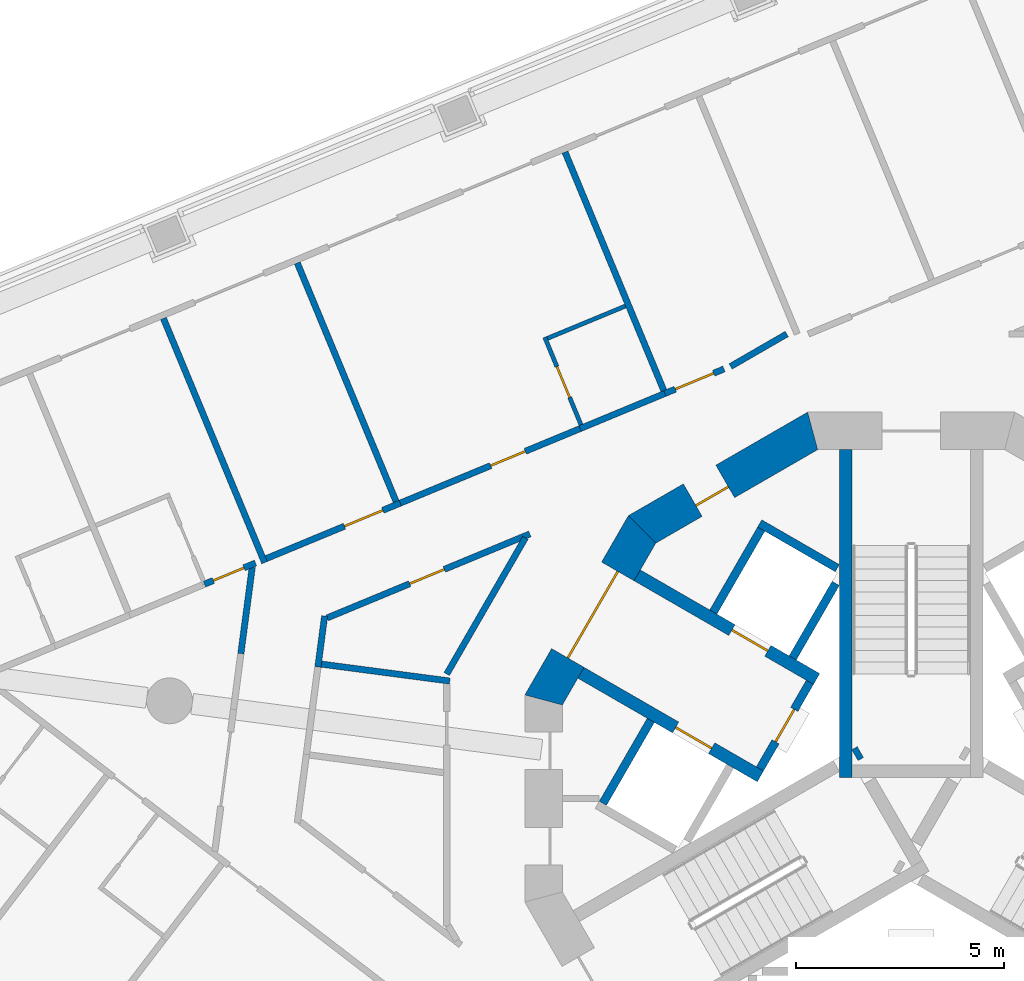
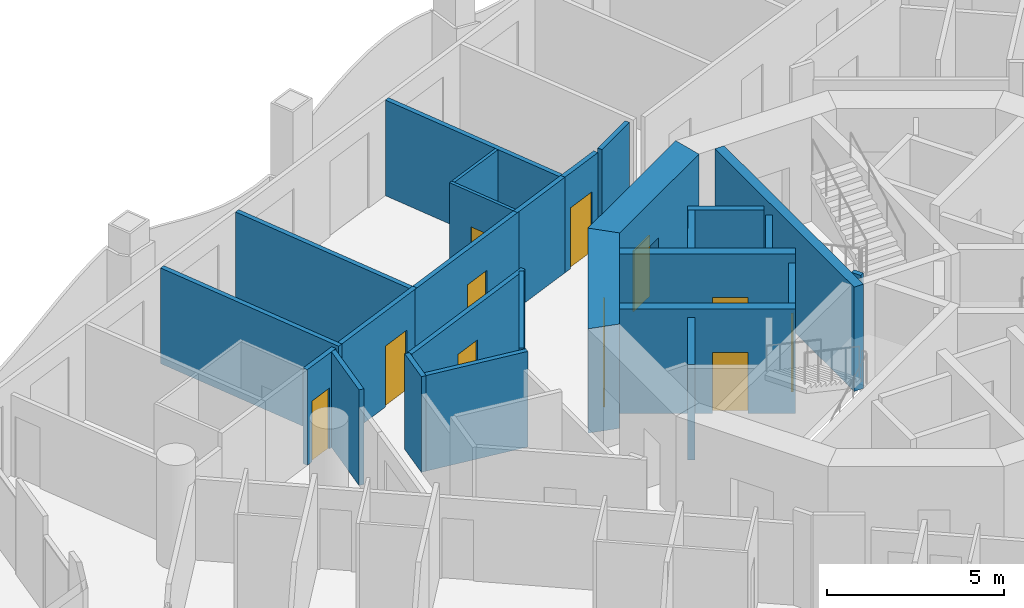
# One storey, part 7 of 17: 27 walls, 11 doors, 11 openings.
"""IFC4 building model written with IfcOpenShell, lengths in metres."""

from ifc_helpers import new_model, si_unit, direction, frame, frame_2d, origin, place, context, subcontext, project, spatial, polyline, rectangle, outline, extrude, material, layer, layer_set, type_object, element, fill, save


model = new_model("IFC4")

# Units and contexts
model_context = context("Model", 3, precision=1e-05, world=origin(), true_north=direction((0.0, 1.0)))
body_context = subcontext(model_context, "Body", "Model", "MODEL_VIEW")
ifc_project = project(units=[si_unit("LENGTHUNIT", "METRE"), si_unit("AREAUNIT", "SQUARE_METRE"), si_unit("VOLUMEUNIT", "CUBIC_METRE"), si_unit("PLANEANGLEUNIT", "RADIAN"), si_unit("MASSUNIT", "GRAM", prefix="KILO")], contexts=[model_context])

# Site, building, storey
site_placement = place(None, origin())
site = spatial("IfcSite", under=ifc_project, at=site_placement, CompositionType="ELEMENT")
building_placement = place(site_placement, origin())
building = spatial("IfcBuilding", under=site, at=building_placement, Name="Trine Commons Tower", CompositionType="ELEMENT")
storey_placement = place(building_placement, frame((0.0, 0.0, 127.800048828125)))
storey = spatial("IfcBuildingStorey", under=building, at=storey_placement, Name="L32", CompositionType="ELEMENT", Elevation=127.800048828125)

# Wall, opening, door
ifc_material_1 = material(Name="Fire-rated gypsum shaft wall system")
ifc_layer_1 = layer(ifc_material_1, 0.199951171875)
ifc_layer_set_1 = layer_set([ifc_layer_1], Name="Fire-rated gypsum shaft wall system")
wall_type_1 = type_object("IfcWallType", Name="Lobby end wall 200 mm, EI 120", PredefinedType="PARTITIONING", material=ifc_layer_set_1)
wall_1_placement = place(storey_placement, frame((77.569091796875, 65.2890625, 0.0), z_axis=(0.0, 0.0, 1.0), x_axis=(-0.50012165622, -0.865955154139, 0.0)))
wall_1 = element("IfcWall", 1, at=wall_1_placement, inside=storey, type_object=wall_type_1, Name="Lobby end wall L32", PredefinedType="PARTITIONING", context=body_context, shape_type="SweptSolid", body=[
    extrude(rectangle(XDim=2.39990234375, YDim=0.199951171875, at=frame_2d((1.199951171875, 0.0))), origin(), (0.0, 0.0, 1.0), 3.300048828125),
])
opening_1_placement = place(wall_1_placement, frame((0.749755859375, 0.0, 0.0)))
opening_1 = element("IfcOpeningElement", 2, at=opening_1_placement, cuts=wall_1, Name="Opening K11.07", PredefinedType="OPENING", context=body_context, shape_type="SweptSolid", body=[
    extrude(rectangle(XDim=0.89990234375, YDim=2.10009765625, at=frame_2d((0.449951171875, 1.050048828125))), frame((0.0, 0.10986328125, 0.0), z_axis=(0.0, -1.0, 0.0), x_axis=(1.0, 0.0, 0.0)), (0.0, 0.0, 1.0), 0.219970703125),
])
ifc_material_2 = material(Name="Steel door leaf, fire-rated", Category="steel")
door_type_1 = type_object("IfcDoorType", Name="Riser access door, single leaf 900 x 2100, FD60", OperationType="SINGLE_SWING_LEFT", PredefinedType="DOOR", material=ifc_material_2)
door_1_placement = place(opening_1_placement, frame((0.89990234375, 0.0, 0.0), z_axis=(0.0, 0.0, 1.0), x_axis=(-1.0, 0.0, 0.0)))
door_1 = element("IfcDoor", 3, at=door_1_placement, inside=storey, type_object=door_type_1, Name="Riser door, Mechanical riser L32", OperationType="SINGLE_SWING_RIGHT", OverallHeight=2.10009765625, OverallWidth=0.89990234375, PredefinedType="DOOR", context=body_context, shape_type="SweptSolid", body=[
    extrude(rectangle(XDim=0.89990234375, YDim=2.10009765625, at=frame_2d((0.449951171875, 1.050048828125))), frame((0.0, 0.02490234375, 0.0), z_axis=(0.0, -1.0, 0.0), x_axis=(1.0, 0.0, 0.0)), (0.0, 0.0, 1.0), 0.050048828125),
])
fill(opening_1, door_1)

ifc_material_3 = material(Name="Concrete C70/85", Category="concrete")
ifc_layer_2 = layer(ifc_material_3, 0.300048828125)
ifc_layer_set_2 = layer_set([ifc_layer_2], Name="Concrete C70/85")
wall_type_2 = type_object("IfcWallType", Name="RC shear wall 300 mm, C70/85", PredefinedType="SHEAR", material=ifc_layer_set_2)
wall_2_placement = place(storey_placement, frame((76.381103515625, 63.031005859375, 0.0), z_axis=(0.0, 0.0, 1.0), x_axis=(-0.866080953719, 0.499903772346, 0.0)))
wall_2 = element("IfcWall", 4, at=wall_2_placement, inside=storey, type_object=wall_type_2, Name="Core cross wall SWB-01 L32", PredefinedType="SHEAR", context=body_context, shape_type="SweptSolid", body=[
    extrude(rectangle(XDim=4.97314453125, YDim=0.300048828125, at=frame_2d((2.486572265625, 0.0))), origin(), (0.0, 0.0, 1.0), 3.599853515625),
])
opening_2_placement = place(wall_2_placement, frame((1.350341796875, 0.0, 0.0)))
opening_2 = element("IfcOpeningElement", 5, at=opening_2_placement, cuts=wall_2, Name="Opening LD7", PredefinedType="OPENING", context=body_context, shape_type="SweptSolid", body=[
    extrude(rectangle(XDim=1.0, YDim=2.10009765625, at=frame_2d((0.5, 1.050048828125))), frame((0.0, 0.159912109375, 0.0), z_axis=(0.0, -1.0, 0.0), x_axis=(1.0, 0.0, 0.0)), (0.0, 0.0, 1.0), 0.320068359375),
])
ifc_material_4 = material(Name="Stainless steel sliding door leaves", Category="steel")
door_type_2 = type_object("IfcDoorType", Name="Lift landing door, centre-opening sliding 1000 x 2100, FD90", OperationType="DOUBLE_DOOR_SLIDING", PredefinedType="DOOR", material=ifc_material_4)
door_2_placement = place(opening_2_placement, origin())
door_2 = element("IfcDoor", 6, at=door_2_placement, inside=storey, type_object=door_type_2, Name="Lift landing door HR3 L32", OperationType="DOUBLE_DOOR_SLIDING", OverallHeight=2.10009765625, OverallWidth=1.0, PredefinedType="DOOR", context=body_context, shape_type="SweptSolid", body=[
    extrude(rectangle(XDim=1.0, YDim=2.10009765625, at=frame_2d((0.5, 1.050048828125))), frame((0.0, 0.02490234375, 0.0), z_axis=(0.0, -1.0, 0.0), x_axis=(1.0, 0.0, 0.0)), (0.0, 0.0, 1.0), 0.050048828125),
])
fill(opening_2, door_2)

wall_3_placement = place(storey_placement, frame((77.73095703125, 65.368896484375, 0.0), z_axis=(0.0, 0.0, 1.0), x_axis=(-0.865983655544, 0.500072303102, 0.0)))
wall_3 = element("IfcWall", 7, at=wall_3_placement, inside=storey, type_object=wall_type_2, Name="Core cross wall SWB-02 L32", PredefinedType="SHEAR", context=body_context, shape_type="SweptSolid", body=[
    extrude(rectangle(XDim=4.973388671875, YDim=0.300048828125, at=frame_2d((2.48681640625, 0.0))), origin(), (0.0, 0.0, 1.0), 3.599853515625),
])
opening_3_placement = place(wall_3_placement, frame((1.3505859375, 0.0, 0.0)))
opening_3 = element("IfcOpeningElement", 8, at=opening_3_placement, cuts=wall_3, Name="Opening LD8", PredefinedType="OPENING", context=body_context, shape_type="SweptSolid", body=[
    extrude(rectangle(XDim=1.0, YDim=2.10009765625, at=frame_2d((0.5, 1.050048828125))), frame((0.0, 0.159912109375, 0.0), z_axis=(0.0, -1.0, 0.0), x_axis=(1.0, 0.0, 0.0)), (0.0, 0.0, 1.0), 0.320068359375),
])
door_3_placement = place(opening_3_placement, origin())
door_3 = element("IfcDoor", 9, at=door_3_placement, inside=storey, type_object=door_type_2, Name="Lift landing door HR4 L32", OperationType="DOUBLE_DOOR_SLIDING", OverallHeight=2.10009765625, OverallWidth=1.0, PredefinedType="DOOR", context=body_context, shape_type="SweptSolid", body=[
    extrude(rectangle(XDim=1.0, YDim=2.10009765625, at=frame_2d((0.5, 1.050048828125))), frame((0.0, 0.02490234375, 0.0), z_axis=(0.0, -1.0, 0.0), x_axis=(1.0, 0.0, 0.0)), (0.0, 0.0, 1.0), 0.050048828125),
])
fill(opening_3, door_3)

# Walls
wall_4_placement = place(storey_placement, frame((78.425048828125, 63.0009765625, 0.0), z_axis=(0.0, 0.0, 1.0), x_axis=(0.0, 1.0, 0.0)))
element("IfcWall", 10, at=wall_4_placement, inside=storey, type_object=wall_type_2, Name="Core cross wall SWB-08 L32", PredefinedType="SHEAR", context=body_context, shape_type="SweptSolid", body=[
    extrude(rectangle(XDim=7.8720703125, YDim=0.300048828125, at=frame_2d((3.93603515625, 0.0))), origin(), (0.0, 0.0, 1.0), 3.599853515625),
])
wall_5_placement = place(storey_placement, frame((78.779052734375, 63.614013671875, 0.0), z_axis=(0.0, 0.0, 1.0), x_axis=(-0.867737973955, -0.497021939713, 0.0)))
element("IfcWall", 11, at=wall_5_placement, inside=storey, type_object=wall_type_2, Name="Core cross wall SWB-09 L32", PredefinedType="SHEAR", context=body_context, shape_type="SweptSolid", body=[
    extrude(rectangle(XDim=0.14892578125, YDim=0.300048828125, at=frame_2d((0.074462890625, 0.0))), origin(), (0.0, 0.0, 1.0), 3.599853515625),
])

# Wall, opening, door
ifc_layer_3 = layer(ifc_material_3, 0.89990234375)
ifc_layer_set_3 = layer_set([ifc_layer_3], Name="Concrete C70/85")
wall_type_3 = type_object("IfcWallType", Name="RC shear wall 900 mm, C70/85", PredefinedType="SHEAR", material=ifc_layer_set_3)
wall_6_placement = place(storey_placement, frame((77.740234375, 71.38330078125, 0.0), z_axis=(0.0, 0.0, 1.0), x_axis=(-0.866003133579, -0.500038571144, 0.0)))
wall_6 = element("IfcWall", 12, at=wall_6_placement, inside=storey, type_object=wall_type_3, Name="Core wall CWD-05 L32", PredefinedType="SHEAR", context=body_context, shape_type="SweptSolid", body=[
    extrude(outline(polyline([(0.0, -0.449951171875), (4.96923828125, -0.449951171875), (4.72802734375, 0.449951171875), (0.2412109375, 0.449951171875), (0.0, -0.449951171875)])), origin(), (0.0, 0.0, 1.0), 3.599853515625),
])
opening_4_placement = place(wall_6_placement, frame((2.544921875, 0.0, 0.0)))
opening_4 = element("IfcOpeningElement", 13, at=opening_4_placement, cuts=wall_6, Name="Opening K11.13", PredefinedType="OPENING", context=body_context, shape_type="SweptSolid", body=[
    extrude(rectangle(XDim=0.89990234375, YDim=2.10009765625, at=frame_2d((0.449951171875, 1.050048828125))), frame((0.0, 0.4599609375, 0.0), z_axis=(0.0, -1.0, 0.0), x_axis=(1.0, 0.0, 0.0)), (0.0, 0.0, 1.0), 0.919921875),
])
door_type_3 = type_object("IfcDoorType", Name="Core room door, single leaf 900 x 2100, FD30S", OperationType="SINGLE_SWING_LEFT", PredefinedType="DOOR", material=ifc_material_2)
door_4_placement = place(opening_4_placement, origin())
door_4 = element("IfcDoor", 14, at=door_4_placement, inside=storey, type_object=door_type_3, Name="Door to Print room L32", OperationType="SINGLE_SWING_RIGHT", OverallHeight=2.10009765625, OverallWidth=0.89990234375, PredefinedType="DOOR", context=body_context, shape_type="SweptSolid", body=[
    extrude(rectangle(XDim=0.89990234375, YDim=2.10009765625, at=frame_2d((0.449951171875, 1.050048828125))), frame((0.0, 0.1748046875, 0.0), z_axis=(0.0, -1.0, 0.0), x_axis=(1.0, 0.0, 0.0)), (0.0, 0.0, 1.0), 0.050048828125),
])
fill(opening_4, door_4)

wall_7_placement = place(storey_placement, frame((73.6015625, 69.063232421875, 0.0), z_axis=(0.0, 0.0, 1.0), x_axis=(-0.500038571144, -0.866003133579, 0.0)))
wall_7 = element("IfcWall", 15, at=wall_7_placement, inside=storey, type_object=wall_type_3, Name="Core wall CWD-06 L32", PredefinedType="SHEAR", context=body_context, shape_type="SweptSolid", body=[
    extrude(outline(polyline([(0.0, -0.449951171875), (4.96923828125, -0.449951171875), (4.72802734375, 0.449951171875), (0.2412109375, 0.449951171875), (0.0, -0.449951171875)])), origin(), (0.0, 0.0, 1.0), 3.599853515625),
])
opening_5_placement = place(wall_7_placement, frame((1.28466796875, 0.0, 0.0)))
opening_5 = element("IfcOpeningElement", 16, at=opening_5_placement, cuts=wall_7, Name="Opening K11.06", PredefinedType="OPENING", context=body_context, shape_type="SweptSolid", body=[
    extrude(rectangle(XDim=2.39990234375, YDim=2.10009765625, at=frame_2d((1.199951171875, 1.050048828125))), frame((0.0, 0.4599609375, 0.0), z_axis=(0.0, -1.0, 0.0), x_axis=(1.0, 0.0, 0.0)), (0.0, 0.0, 1.0), 0.919921875),
])
ifc_material_5 = material(Name="Steel door leaves, fire-rated", Category="steel")
door_type_4 = type_object("IfcDoorType", Name="Lobby door, double leaf 2400 x 2100, FD60", OperationType="DOUBLE_DOOR_SINGLE_SWING", PredefinedType="DOOR", material=ifc_material_5)
door_5_placement = place(opening_5_placement, origin())
door_5 = element("IfcDoor", 17, at=door_5_placement, inside=storey, type_object=door_type_4, Name="Lobby door, Passenger lift lobby B L32", OperationType="DOUBLE_DOOR_SINGLE_SWING", OverallHeight=2.10009765625, OverallWidth=2.39990234375, PredefinedType="DOOR", context=body_context, shape_type="SweptSolid", body=[
    extrude(rectangle(XDim=2.39990234375, YDim=2.10009765625, at=frame_2d((1.199951171875, 1.050048828125))), frame((0.0, 0.02490234375, 0.0), z_axis=(0.0, -1.0, 0.0), x_axis=(1.0, 0.0, 0.0)), (0.0, 0.0, 1.0), 0.050048828125),
])
fill(opening_5, door_5)

# Walls
ifc_layer_4 = layer(ifc_material_1, 0.199951171875)
ifc_layer_set_4 = layer_set([ifc_layer_4], Name="Fire-rated gypsum shaft wall system")
wall_type_4 = type_object("IfcWallType", Name="Shaft wall 200 mm, EI 120", PredefinedType="PARTITIONING", material=ifc_layer_set_4)
for number, where, z_axis, x_axis, name in (
    (18, (73.7509765625, 64.3759765625, 0.0), (0.0, 0.0, 1.0), (-0.500136062276, -0.86594683394, 0.0), "Shaft wall L32"),
    (19, (75.2509765625, 66.97412109375, 0.0), (0.0, 0.0, 1.0), (0.500136062276, 0.86594683394, 0.0), "Shaft wall L32"),
):
    element("IfcWall", number, at=place(storey_placement, frame(where, z_axis=z_axis, x_axis=x_axis)), inside=storey, type_object=wall_type_4, Name=name, PredefinedType="PARTITIONING", context=body_context, shape_type="SweptSolid", body=[
        extrude(rectangle(XDim=2.299072265625, YDim=0.199951171875, at=frame_2d((1.1494140625, 0.0))), origin(), (0.0, 0.0, 1.0), 3.300048828125),
    ])
wall_8_placement = place(storey_placement, frame((77.156005859375, 65.8740234375, 0.0), z_axis=(0.0, 0.0, 1.0), x_axis=(0.499865770674, 0.866102887253, 0.0)))
element("IfcWall", 20, at=wall_8_placement, inside=storey, type_object=wall_type_4, Name="Shaft wall L32", PredefinedType="PARTITIONING", context=body_context, shape_type="SweptSolid", body=[
    extrude(rectangle(XDim=2.064453125, YDim=0.199951171875, at=frame_2d((1.0322265625, 0.0))), origin(), (0.0, 0.0, 1.0), 3.300048828125),
])
wall_9_placement = place(storey_placement, frame((78.22509765625, 68.028076171875, 0.0), z_axis=(0.0, 0.0, 1.0), x_axis=(-0.866130725101, 0.499817533742, 0.0)))
element("IfcWall", 21, at=wall_9_placement, inside=storey, type_object=wall_type_4, Name="Shaft wall L32", PredefinedType="PARTITIONING", context=body_context, shape_type="SweptSolid", body=[
    extrude(rectangle(XDim=2.148681640625, YDim=0.199951171875, at=frame_2d((1.07421875, 0.0))), origin(), (0.0, 0.0, 1.0), 3.300048828125),
])
ifc_material_6 = material(Name="Gypsum plasterboard on steel stud", Category="steel")
ifc_layer_5 = layer(ifc_material_6, 0.14990234375)
ifc_layer_set_5 = layer_set([ifc_layer_5], Name="Gypsum plasterboard on steel stud")
wall_type_5 = type_object("IfcWallType", Name="Unit and corridor wall 150 mm, EI 60", PredefinedType="PARTITIONING", material=ifc_layer_set_5)
wall_10_placement = place(storey_placement, frame((62.05322265625, 74.02197265625, 0.0), z_axis=(0.0, 0.0, 1.0), x_axis=(0.382821977845, -0.923822132923, 0.0)))
element("IfcWall", 22, at=wall_10_placement, inside=storey, type_object=wall_type_5, Name="Partition 017", PredefinedType="PARTITIONING", context=body_context, shape_type="SweptSolid", body=[
    extrude(rectangle(XDim=6.343505859375, YDim=0.14990234375, at=frame_2d((3.171875, 0.0))), origin(), (0.0, 0.0, 1.0), 3.300048828125),
])

# Wall, opening, door
wall_11_placement = place(storey_placement, frame((63.0380859375, 67.64404296875, 0.0), z_axis=(0.0, 0.0, 1.0), x_axis=(0.923848523473, 0.38275828623, 0.0)))
wall_11 = element("IfcWall", 23, at=wall_11_placement, inside=storey, type_object=wall_type_5, Name="Partition 020", PredefinedType="PARTITIONING", context=body_context, shape_type="SweptSolid", body=[
    extrude(rectangle(XDim=1.326171875, YDim=0.14990234375, at=frame_2d((0.6630859375, 0.0))), origin(), (0.0, 0.0, 1.0), 3.300048828125),
])
opening_6_placement = place(wall_11_placement, frame((0.227783203125, 0.0, 0.0)))
opening_6 = element("IfcOpeningElement", 24, at=opening_6_placement, cuts=wall_11, Name="Opening D-4A06", PredefinedType="OPENING", context=body_context, shape_type="SweptSolid", body=[
    extrude(rectangle(XDim=0.800048828125, YDim=2.10009765625, at=frame_2d((0.39990234375, 1.050048828125))), frame((0.0, 0.0849609375, 0.0), z_axis=(0.0, -1.0, 0.0), x_axis=(1.0, 0.0, 0.0)), (0.0, 0.0, 1.0), 0.169921875),
])
ifc_material_7 = material(Name="Timber fire door set", Category="wood")
door_type_5 = type_object("IfcDoorType", Name="Bedroom door 800 x 2100, FD30S", OperationType="NOTDEFINED", PredefinedType="DOOR", material=ifc_material_7)
door_6_placement = place(opening_6_placement, origin())
door_6 = element("IfcDoor", 25, at=door_6_placement, inside=storey, type_object=door_type_5, Name="Door D-4A06", OperationType="SINGLE_SWING_LEFT", OverallHeight=2.10009765625, OverallWidth=0.800048828125, PredefinedType="DOOR", context=body_context, shape_type="SweptSolid", body=[
    extrude(rectangle(XDim=0.800048828125, YDim=2.10009765625, at=frame_2d((0.39990234375, 1.050048828125))), frame((0.0, 0.02490234375, 0.0), z_axis=(0.0, -1.0, 0.0), x_axis=(1.0, 0.0, 0.0)), (0.0, 0.0, 1.0), 0.050048828125),
])
fill(opening_6, door_6)

# Wall
wall_12_placement = place(storey_placement, frame((63.910888671875, 65.97705078125, 0.0), z_axis=(0.0, 0.0, 1.0), x_axis=(0.13074768898, 0.9914156756, 0.0)))
element("IfcWall", 26, at=wall_12_placement, inside=storey, type_object=wall_type_5, Name="Partition 023", PredefinedType="PARTITIONING", context=body_context, shape_type="SweptSolid", body=[
    extrude(rectangle(XDim=2.08935546875, YDim=0.14990234375, at=frame_2d((1.044677734375, 0.0))), origin(), (0.0, 0.0, 1.0), 3.300048828125),
])

# Wall, opening, door
wall_13_placement = place(storey_placement, frame((64.519287109375, 68.2578125, 0.0), z_axis=(0.0, 0.0, 1.0), x_axis=(0.923914357305, 0.382599347053, 0.0)))
wall_13 = element("IfcWall", 27, at=wall_13_placement, inside=storey, type_object=wall_type_5, Name="Partition 024", PredefinedType="PARTITIONING", context=body_context, shape_type="SweptSolid", body=[
    extrude(rectangle(XDim=3.484130859375, YDim=0.14990234375, at=frame_2d((1.7421875, 0.0))), origin(), (0.0, 0.0, 1.0), 3.300048828125),
])
opening_7_placement = place(wall_13_placement, frame((2.030517578125, 0.0, 0.0)))
opening_7 = element("IfcOpeningElement", 28, at=opening_7_placement, cuts=wall_13, Name="Opening D-4A07", PredefinedType="OPENING", context=body_context, shape_type="SweptSolid", body=[
    extrude(rectangle(XDim=1.0, YDim=2.10009765625, at=frame_2d((0.5, 1.050048828125))), frame((0.0, 0.0849609375, 0.0), z_axis=(0.0, -1.0, 0.0), x_axis=(1.0, 0.0, 0.0)), (0.0, 0.0, 1.0), 0.169921875),
])
ifc_material_8 = material(Name="Painted timber", Category="wood")
door_type_6 = type_object("IfcDoorType", Name="Amenity room door 1000 x 2100, NOT RATED", OperationType="NOTDEFINED", PredefinedType="DOOR", material=ifc_material_8)
door_7_placement = place(opening_7_placement, origin())
door_7 = element("IfcDoor", 29, at=door_7_placement, inside=storey, type_object=door_type_6, Name="Door D-4A07", OperationType="SINGLE_SWING_RIGHT", OverallHeight=2.10009765625, OverallWidth=1.0, PredefinedType="DOOR", context=body_context, shape_type="SweptSolid", body=[
    extrude(rectangle(XDim=1.0, YDim=2.10009765625, at=frame_2d((0.5, 1.050048828125))), frame((0.0, 0.02490234375, 0.0), z_axis=(0.0, -1.0, 0.0), x_axis=(1.0, 0.0, 0.0)), (0.0, 0.0, 1.0), 0.050048828125),
])
fill(opening_7, door_7)

# Walls
wall_14_placement = place(storey_placement, frame((65.266357421875, 75.35302734375, 0.0), z_axis=(0.0, 0.0, 1.0), x_axis=(0.382610562407, -0.923909712869, 0.0)))
element("IfcWall", 30, at=wall_14_placement, inside=storey, type_object=wall_type_5, Name="Partition 026", PredefinedType="PARTITIONING", context=body_context, shape_type="SweptSolid", body=[
    extrude(rectangle(XDim=6.19384765625, YDim=0.14990234375, at=frame_2d((3.096923828125, 0.0))), origin(), (0.0, 0.0, 1.0), 3.300048828125),
])
wall_15_placement = place(storey_placement, frame((65.76025390625, 65.656494140625, 0.0), z_axis=(0.0, 0.0, 1.0), x_axis=(0.131022785859, 0.99137935705, 0.0)))
element("IfcWall", 31, at=wall_15_placement, inside=storey, type_object=wall_type_5, Name="Partition 031", PredefinedType="PARTITIONING", context=body_context, shape_type="SweptSolid", body=[
    extrude(rectangle(XDim=1.233642578125, YDim=0.14990234375, at=frame_2d((0.61669921875, 0.0))), origin(), (0.0, 0.0, 1.0), 3.300048828125),
])
wall_16_placement = place(storey_placement, frame((65.845458984375, 65.72509765625, 0.0), z_axis=(0.0, 0.0, 1.0), x_axis=(0.991429142169, -0.130645535929, 0.0)))
element("IfcWall", 32, at=wall_16_placement, inside=storey, type_object=wall_type_5, Name="Partition 032", PredefinedType="PARTITIONING", context=body_context, shape_type="SweptSolid", body=[
    extrude(rectangle(XDim=3.107666015625, YDim=0.14990234375, at=frame_2d((1.5537109375, 0.0))), origin(), (0.0, 0.0, 1.0), 3.300048828125),
])

# Wall, opening, door
wall_17_placement = place(storey_placement, frame((65.981201171875, 66.833740234375, 0.0), z_axis=(0.0, 0.0, 1.0), x_axis=(0.923830903719, 0.382800811563, 0.0)))
wall_17 = element("IfcWall", 33, at=wall_17_placement, inside=storey, type_object=wall_type_5, Name="Partition 035", PredefinedType="PARTITIONING", context=body_context, shape_type="SweptSolid", body=[
    extrude(rectangle(XDim=5.26611328125, YDim=0.14990234375, at=frame_2d((2.633056640625, 0.0))), origin(), (0.0, 0.0, 1.0), 3.300048828125),
])
opening_8_placement = place(wall_17_placement, frame((2.1455078125, 0.0, 0.0)))
opening_8 = element("IfcOpeningElement", 34, at=opening_8_placement, cuts=wall_17, Name="Opening D-4A36", PredefinedType="OPENING", context=body_context, shape_type="SweptSolid", body=[
    extrude(rectangle(XDim=0.89990234375, YDim=2.10009765625, at=frame_2d((0.449951171875, 1.050048828125))), frame((0.0, 0.0849609375, 0.0), z_axis=(0.0, -1.0, 0.0), x_axis=(1.0, 0.0, 0.0)), (0.0, 0.0, 1.0), 0.169921875),
])
door_type_7 = type_object("IfcDoorType", Name="Service door 900 x 2100, FD30S", OperationType="NOTDEFINED", PredefinedType="DOOR", material=ifc_material_7)
door_8_placement = place(opening_8_placement, frame((0.89990234375, 0.0, 0.0), z_axis=(0.0, 0.0, 1.0), x_axis=(-1.0, 0.0, 0.0)))
door_8 = element("IfcDoor", 35, at=door_8_placement, inside=storey, type_object=door_type_7, Name="Door D-4A36", OperationType="SINGLE_SWING_RIGHT", OverallHeight=2.10009765625, OverallWidth=0.89990234375, PredefinedType="DOOR", context=body_context, shape_type="SweptSolid", body=[
    extrude(rectangle(XDim=0.89990234375, YDim=2.10009765625, at=frame_2d((0.449951171875, 1.050048828125))), frame((0.0, 0.02490234375, 0.0), z_axis=(0.0, -1.0, 0.0), x_axis=(1.0, 0.0, 0.0)), (0.0, 0.0, 1.0), 0.050048828125),
])
fill(opening_8, door_8)

wall_18_placement = place(storey_placement, frame((67.662109375, 69.55908203125, 0.0), z_axis=(0.0, 0.0, 1.0), x_axis=(0.923858526334, 0.382734141827, 0.0)))
wall_18 = element("IfcWall", 36, at=wall_18_placement, inside=storey, type_object=wall_type_5, Name="Partition 037", PredefinedType="PARTITIONING", context=body_context, shape_type="SweptSolid", body=[
    extrude(rectangle(XDim=4.812255859375, YDim=0.14990234375, at=frame_2d((2.40625, 0.0))), origin(), (0.0, 0.0, 1.0), 3.300048828125),
])
opening_9_placement = place(wall_18_placement, frame((2.431396484375, 0.0, 0.0)))
opening_9 = element("IfcOpeningElement", 37, at=opening_9_placement, cuts=wall_18, Name="Opening D-4A08", PredefinedType="OPENING", context=body_context, shape_type="SweptSolid", body=[
    extrude(rectangle(XDim=0.89990234375, YDim=2.10009765625, at=frame_2d((0.449951171875, 1.050048828125))), frame((0.0, 0.0849609375, 0.0), z_axis=(0.0, -1.0, 0.0), x_axis=(1.0, 0.0, 0.0)), (0.0, 0.0, 1.0), 0.169921875),
])
door_type_8 = type_object("IfcDoorType", Name="Bedroom door 900 x 2100, FD30S", OperationType="NOTDEFINED", PredefinedType="DOOR", material=ifc_material_7)
door_9_placement = place(opening_9_placement, origin())
door_9 = element("IfcDoor", 38, at=door_9_placement, inside=storey, type_object=door_type_8, Name="Door D-4A08", OperationType="SINGLE_SWING_RIGHT", OverallHeight=2.10009765625, OverallWidth=0.89990234375, PredefinedType="DOOR", context=body_context, shape_type="SweptSolid", body=[
    extrude(rectangle(XDim=0.89990234375, YDim=2.10009765625, at=frame_2d((0.449951171875, 1.050048828125))), frame((0.0, 0.02490234375, 0.0), z_axis=(0.0, -1.0, 0.0), x_axis=(1.0, 0.0, 0.0)), (0.0, 0.0, 1.0), 0.050048828125),
])
fill(opening_9, door_9)

# Walls
wall_19_placement = place(storey_placement, frame((68.85205078125, 65.487060546875, 0.0), z_axis=(0.0, 0.0, 1.0), x_axis=(0.500065504582, 0.865987581393, 0.0)))
element("IfcWall", 39, at=wall_19_placement, inside=storey, type_object=wall_type_5, Name="Partition 040", PredefinedType="PARTITIONING", context=body_context, shape_type="SweptSolid", body=[
    extrude(rectangle(XDim=3.7783203125, YDim=0.14990234375, at=frame_2d((1.88916015625, 0.0))), origin(), (0.0, 0.0, 1.0), 3.300048828125),
])
wall_20_placement = place(storey_placement, frame((71.69140625, 78.014892578125, 0.0), z_axis=(0.0, 0.0, 1.0), x_axis=(0.38274513347, -0.923853972663, 0.0)))
element("IfcWall", 40, at=wall_20_placement, inside=storey, type_object=wall_type_5, Name="Partition 046", PredefinedType="PARTITIONING", context=body_context, shape_type="SweptSolid", body=[
    extrude(rectangle(XDim=6.1943359375, YDim=0.14990234375, at=frame_2d((3.09716796875, 0.0))), origin(), (0.0, 0.0, 1.0), 3.300048828125),
])
wall_21_placement = place(storey_placement, frame((72.0546875, 71.37890625, 0.0), z_axis=(0.0, 0.0, 1.0), x_axis=(0.923863223013, 0.382722804604, 0.0)))
element("IfcWall", 41, at=wall_21_placement, inside=storey, type_object=wall_type_5, Name="Partition 048", PredefinedType="PARTITIONING", context=body_context, shape_type="SweptSolid", body=[
    extrude(rectangle(XDim=2.20849609375, YDim=0.14990234375, at=frame_2d((1.104248046875, 0.0))), origin(), (0.0, 0.0, 1.0), 3.300048828125),
])

# Wall, opening, door
wall_22_placement = place(storey_placement, frame((74.087890625, 72.220947265625, 0.0), z_axis=(0.0, 0.0, 1.0), x_axis=(0.923720156635, 0.383067973375, 0.0)))
wall_22 = element("IfcWall", 42, at=wall_22_placement, inside=storey, type_object=wall_type_5, Name="Partition 051", PredefinedType="PARTITIONING", context=body_context, shape_type="SweptSolid", body=[
    extrude(rectangle(XDim=1.535400390625, YDim=0.14990234375, at=frame_2d((0.767578125, 0.0))), origin(), (0.0, 0.0, 1.0), 3.300048828125),
])
opening_10_placement = place(wall_22_placement, frame((0.269287109375, 0.0, 0.0)))
opening_10 = element("IfcOpeningElement", 43, at=opening_10_placement, cuts=wall_22, Name="Opening D-4A09", PredefinedType="OPENING", context=body_context, shape_type="SweptSolid", body=[
    extrude(rectangle(XDim=1.0, YDim=2.10009765625, at=frame_2d((0.5, 1.050048828125))), frame((0.0, 0.0849609375, 0.0), z_axis=(0.0, -1.0, 0.0), x_axis=(1.0, 0.0, 0.0)), (0.0, 0.0, 1.0), 0.169921875),
])
door_10_placement = place(opening_10_placement, origin())
door_10 = element("IfcDoor", 44, at=door_10_placement, inside=storey, type_object=door_type_6, Name="Door D-4A09", OperationType="SINGLE_SWING_RIGHT", OverallHeight=2.10009765625, OverallWidth=1.0, PredefinedType="DOOR", context=body_context, shape_type="SweptSolid", body=[
    extrude(rectangle(XDim=1.0, YDim=2.10009765625, at=frame_2d((0.5, 1.050048828125))), frame((0.0, 0.02490234375, 0.0), z_axis=(0.0, -1.0, 0.0), x_axis=(1.0, 0.0, 0.0)), (0.0, 0.0, 1.0), 0.050048828125),
])
fill(opening_10, door_10)

# Wall
wall_23_placement = place(storey_placement, frame((75.666015625, 72.8701171875, 0.0), z_axis=(0.0, 0.0, 1.0), x_axis=(0.865973841288, 0.500089298231, 0.0)))
element("IfcWall", 45, at=wall_23_placement, inside=storey, type_object=wall_type_5, Name="Partition 055", PredefinedType="PARTITIONING", context=body_context, shape_type="SweptSolid", body=[
    extrude(rectangle(XDim=1.555419921875, YDim=0.14990234375, at=frame_2d((0.77783203125, 0.0))), origin(), (0.0, 0.0, 1.0), 3.300048828125),
])

# Wall, opening, door
ifc_layer_6 = layer(ifc_material_6, 0.10009765625)
ifc_layer_set_6 = layer_set([ifc_layer_6], Name="Gypsum plasterboard on steel stud")
wall_type_6 = type_object("IfcWallType", Name="Unit partition 100 mm, no rating", PredefinedType="PARTITIONING", material=ifc_layer_set_6)
wall_24_placement = place(storey_placement, frame((71.204833984375, 73.5712890625, 0.0), z_axis=(0.0, 0.0, 1.0), x_axis=(0.382557141415, -0.923931833824, 0.0)))
wall_24 = element("IfcWall", 46, at=wall_24_placement, inside=storey, type_object=wall_type_6, Name="Partition 043", PredefinedType="PARTITIONING", context=body_context, shape_type="SweptSolid", body=[
    extrude(rectangle(XDim=2.275146484375, YDim=0.10009765625, at=frame_2d((1.1376953125, 0.0))), origin(), (0.0, 0.0, 1.0), 3.300048828125),
])
opening_11_placement = place(wall_24_placement, frame((0.7626953125, 0.0, 0.0)))
opening_11 = element("IfcOpeningElement", 47, at=opening_11_placement, cuts=wall_24, Name="Opening D-4A41", PredefinedType="OPENING", context=body_context, shape_type="SweptSolid", body=[
    extrude(rectangle(XDim=0.800048828125, YDim=2.10009765625, at=frame_2d((0.39990234375, 1.050048828125))), frame((0.0, 0.06005859375, 0.0), z_axis=(0.0, -1.0, 0.0), x_axis=(1.0, 0.0, 0.0)), (0.0, 0.0, 1.0), 0.1201171875),
])
door_type_9 = type_object("IfcDoorType", Name="Internal door 800 x 2100, NOT RATED", OperationType="NOTDEFINED", PredefinedType="DOOR", material=ifc_material_8)
door_11_placement = place(opening_11_placement, frame((0.800048828125, 0.0, 0.0), z_axis=(0.0, 0.0, 1.0), x_axis=(-1.0, 0.0, 0.0)))
door_11 = element("IfcDoor", 48, at=door_11_placement, inside=storey, type_object=door_type_9, Name="Door D-4A41", OperationType="SINGLE_SWING_LEFT", OverallHeight=2.10009765625, OverallWidth=0.800048828125, PredefinedType="DOOR", context=body_context, shape_type="SweptSolid", body=[
    extrude(rectangle(XDim=0.800048828125, YDim=2.10009765625, at=frame_2d((0.39990234375, 1.050048828125))), frame((0.0, 0.02490234375, 0.0), z_axis=(0.0, -1.0, 0.0), x_axis=(1.0, 0.0, 0.0)), (0.0, 0.0, 1.0), 0.050048828125),
])
fill(opening_11, door_11)

# Wall
wall_25_placement = place(storey_placement, frame((71.270263671875, 73.544189453125, 0.0), z_axis=(0.0, 0.0, 1.0), x_axis=(0.923877272036, 0.382688889591, 0.0)))
element("IfcWall", 49, at=wall_25_placement, inside=storey, type_object=wall_type_6, Name="Partition 044", PredefinedType="PARTITIONING", context=body_context, shape_type="SweptSolid", body=[
    extrude(rectangle(XDim=2.025634765625, YDim=0.10009765625, at=frame_2d((1.0126953125, 0.0))), origin(), (0.0, 0.0, 1.0), 3.300048828125),
])

save(model, "model.ifc")
